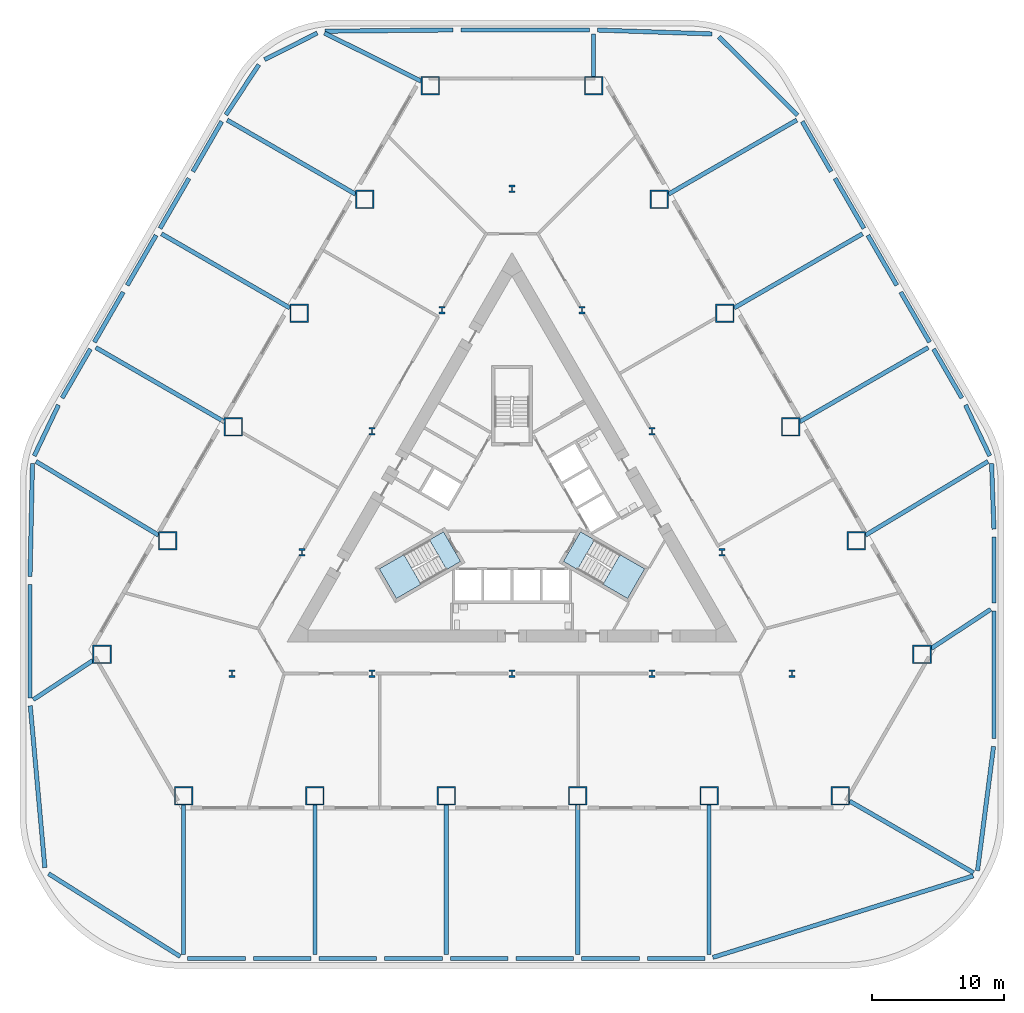
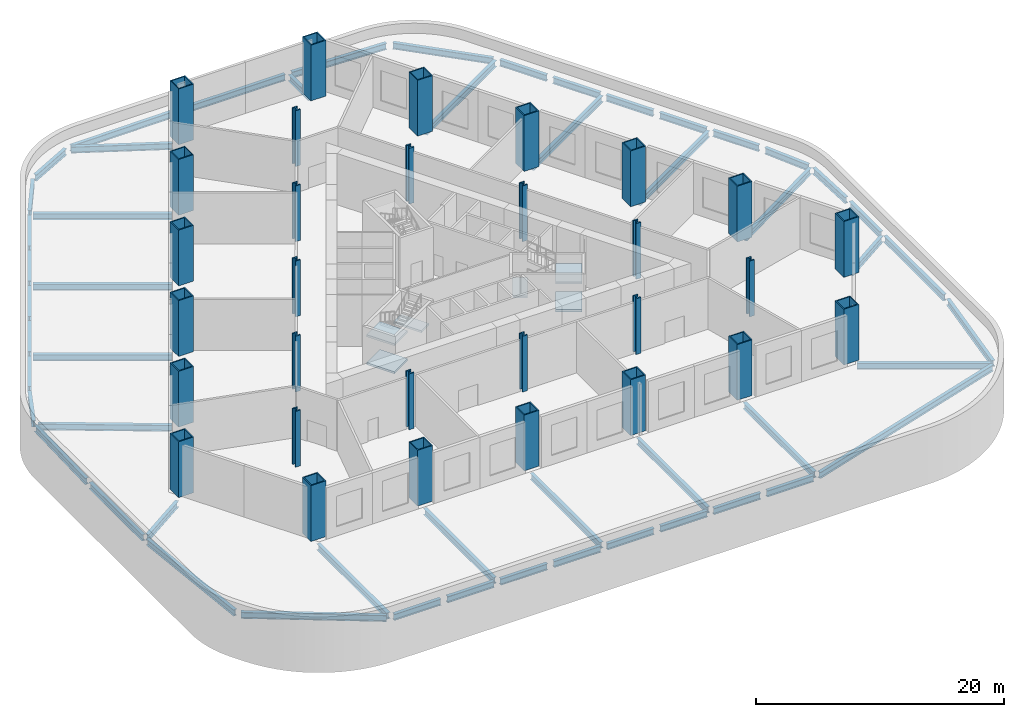
# One storey, part 1 of 10: 53 beams, 30 columns, 6 slabs, 2 elements without a shape of their own.
"""IFC4 building model written with IfcOpenShell, lengths in metres."""

from ifc_helpers import new_model, si_unit, direction, frame, origin, origin_2d, place, context, subcontext, project, spatial, polyline, hollow_rectangle, i_section, outline, extrude, material, layer, layer_set, material_profile, profile_set, type_object, element, aggregate, save


model = new_model("IFC4")

# Units and contexts
model_context = context("Model", 3, precision=1e-05, world=origin(), true_north=direction((0.0, 1.0)))
body_context = subcontext(model_context, "Body", "Model", "MODEL_VIEW")
ifc_project = project(units=[si_unit("LENGTHUNIT", "METRE"), si_unit("AREAUNIT", "SQUARE_METRE"), si_unit("VOLUMEUNIT", "CUBIC_METRE"), si_unit("PLANEANGLEUNIT", "RADIAN"), si_unit("MASSUNIT", "GRAM", prefix="KILO")], contexts=[model_context])

# Site, building, storey
site_placement = place(None, origin())
site = spatial("IfcSite", under=ifc_project, at=site_placement, CompositionType="ELEMENT")
building_placement = place(site_placement, origin())
building = spatial("IfcBuilding", under=site, at=building_placement, Name="Cormorant Prow Tower", CompositionType="ELEMENT")
storey_placement = place(building_placement, frame((0.0, 0.0, 10.0)))
storey = spatial("IfcBuildingStorey", under=building, at=storey_placement, Name="L01", CompositionType="ELEMENT", Elevation=10.0)

# Columns
ifc_material_1 = material(Name="Structural steel ASTM A572 Gr 50", Category="steel")
ifc_material_profile_1 = material_profile(ifc_material_1, hollow_rectangle(XDim=1.39990234375, YDim=1.39990234375, WallThickness=0.10009765625, at=origin_2d()), Name="Box 1400x1400x100")
ifc_profile_set_1 = profile_set([ifc_material_profile_1], Name="Structural steel ASTM A572 Gr 50")
column_type_1 = type_object("IfcColumnType", Name="Perimeter box column 1400x1400x100", PredefinedType="COLUMN", material=ifc_profile_set_1)
for number, where, z_axis, x_axis, name in (
    (1, (-24.830322265625, -21.4599609375, 0.0), (0.0, 0.0, 1.0), (1.0, 0.0, 0.0), "Perimeter column at S00 L01"),
    (2, (-14.898193359375, -21.4599609375, 0.0), (0.0, 0.0, 1.0), (1.0, 0.0, 0.0), "Perimeter column at S02 L01"),
    (3, (-4.966064453125, -21.4599609375, 0.0), (0.0, 0.0, 1.0), (1.0, 0.0, 0.0), "Perimeter column at S04 L01"),
    (4, (4.966064453125, -21.4599609375, 0.0), (0.0, 0.0, 1.0), (1.0, 0.0, 0.0), "Perimeter column at S06 L01"),
    (5, (14.898193359375, -21.4599609375, 0.0), (0.0, 0.0, 1.0), (1.0, 0.0, 0.0), "Perimeter column at S08 L01"),
    (6, (24.830322265625, -21.4599609375, 0.0), (0.0, 0.0, 1.0), (1.0, 0.0, 0.0), "Perimeter column at ESE00 L01"),
    (7, (31.0, -10.773681640625, 0.0), (0.0, 0.0, 1.0), (1.0, 0.0, 0.0), "Perimeter column at ENE00 L01"),
    (8, (26.033935546875, -2.17236328125, 0.0), (0.0, 0.0, 1.0), (1.0, 0.0, 0.0), "Perimeter column at ENE02 L01"),
    (9, (21.06787109375, 6.42919921875, 0.0), (0.0, 0.0, 1.0), (1.0, 0.0, 0.0), "Perimeter column at ENE04 L01"),
    (10, (16.101806640625, 15.03076171875, 0.0), (0.0, 0.0, 1.0), (1.0, 0.0, 0.0), "Perimeter column at ENE06 L01"),
    (11, (11.1357421875, 23.632080078125, 0.0), (0.0, 0.0, 1.0), (1.0, 0.0, 0.0), "Perimeter column at ENE08 L01"),
    (12, (6.169677734375, 32.233642578125, 0.0), (0.0, 0.0, 1.0), (1.0, 0.0, 0.0), "Perimeter column at N00 L01"),
    (13, (-6.169677734375, 32.233642578125, 0.0), (0.0, 0.0, 1.0), (1.0, 0.0, 0.0), "Perimeter column at WNW00 L01"),
    (14, (-11.1357421875, 23.632080078125, 0.0), (0.0, 0.0, 1.0), (1.0, 0.0, 0.0), "Perimeter column at WNW02 L01"),
    (15, (-16.101806640625, 15.03076171875, 0.0), (0.0, 0.0, 1.0), (1.0, 0.0, 0.0), "Perimeter column at WNW04 L01"),
    (16, (-21.06787109375, 6.42919921875, 0.0), (0.0, 0.0, 1.0), (1.0, 0.0, 0.0), "Perimeter column at WNW06 L01"),
    (17, (-26.033935546875, -2.17236328125, 0.0), (0.0, 0.0, 1.0), (1.0, 0.0, 0.0), "Perimeter column at WNW08 L01"),
    (18, (-31.0, -10.773681640625, 0.0), (0.0, 0.0, 1.0), (1.0, 0.0, 0.0), "Perimeter column at WSW00 L01"),
):
    element("IfcColumn", number, at=place(storey_placement, frame(where, z_axis=z_axis, x_axis=x_axis)), inside=storey, type_object=column_type_1, Name=name, PredefinedType="COLUMN", context=body_context, shape_type="SweptSolid", body=[
        extrude(hollow_rectangle(XDim=1.39990234375, YDim=1.39990234375, WallThickness=0.10009765625, at=origin_2d()), origin(), (0.0, 0.0, 1.0), 5.5),
    ])
ifc_material_2 = material(Name="Structural steel ASTM A992 Gr 50", Category="steel")
ifc_material_profile_2 = material_profile(ifc_material_2, i_section(OverallWidth=0.454345703125, OverallDepth=0.569580078125, WebThickness=0.077880859375, FlangeThickness=0.124755859375, at=origin_2d()), Name="W14x730")
ifc_profile_set_2 = profile_set([ifc_material_profile_2], Name="Structural steel ASTM A992 Gr 50")
column_type_2 = type_object("IfcColumnType", Name="Ring column W14x730", PredefinedType="COLUMN", material=ifc_profile_set_2)
for number, where, z_axis, x_axis, name in (
    (19, (0.0, 24.429931640625, 0.0), (0.0, 0.0, 1.0), (1.0, 0.0, 0.0), "Ring column 1 L01"),
    (20, (-5.289306640625, 15.268798828125, 0.0), (0.0, 0.0, 1.0), (1.0, 0.0, 0.0), "Ring column 2 L01"),
    (21, (-10.578369140625, 6.107421875, 0.0), (0.0, 0.0, 1.0), (1.0, 0.0, 0.0), "Ring column 3 L01"),
    (22, (-15.86767578125, -3.0537109375, 0.0), (0.0, 0.0, 1.0), (1.0, 0.0, 0.0), "Ring column 4 L01"),
    (23, (-21.156982421875, -12.21484375, 0.0), (0.0, 0.0, 1.0), (1.0, 0.0, 0.0), "Ring column 5 L01"),
    (24, (-10.578369140625, -12.21484375, 0.0), (0.0, 0.0, 1.0), (1.0, 0.0, 0.0), "Ring column 6 L01"),
    (25, (0.0, -12.21484375, 0.0), (0.0, 0.0, 1.0), (1.0, 0.0, 0.0), "Ring column 7 L01"),
    (26, (10.578369140625, -12.21484375, 0.0), (0.0, 0.0, 1.0), (1.0, 0.0, 0.0), "Ring column 8 L01"),
    (27, (21.156982421875, -12.21484375, 0.0), (0.0, 0.0, 1.0), (1.0, 0.0, 0.0), "Ring column 9 L01"),
    (28, (15.86767578125, -3.0537109375, 0.0), (0.0, 0.0, 1.0), (1.0, 0.0, 0.0), "Ring column 10 L01"),
    (29, (10.578369140625, 6.107421875, 0.0), (0.0, 0.0, 1.0), (1.0, 0.0, 0.0), "Ring column 11 L01"),
    (30, (5.289306640625, 15.268798828125, 0.0), (0.0, 0.0, 1.0), (1.0, 0.0, 0.0), "Ring column 12 L01"),
):
    element("IfcColumn", number, at=place(storey_placement, frame(where, z_axis=z_axis, x_axis=x_axis)), inside=storey, type_object=column_type_2, Name=name, PredefinedType="COLUMN", context=body_context, shape_type="SweptSolid", body=[
        extrude(i_section(OverallWidth=0.454345703125, OverallDepth=0.569580078125, WebThickness=0.077880859375, FlangeThickness=0.124755859375, at=origin_2d()), origin(), (0.0, 0.0, 1.0), 5.5),
    ])

# Beams
ifc_material_3 = material(Name="Structural steel ASTM A992 Gr 50", Category="steel")
ifc_material_profile_3 = material_profile(ifc_material_3, i_section(OverallWidth=0.32373046875, OverallDepth=0.611083984375, WebThickness=0.0126953125, FlangeThickness=0.01904296875, at=origin_2d()), Name="W24x104")
ifc_profile_set_3 = profile_set([ifc_material_profile_3], Name="Structural steel ASTM A992 Gr 50")
beam_type = type_object("IfcBeamType", Name="Arcade beam W24x104", PredefinedType="BEAM", material=ifc_profile_set_3)
beam_1_placement = place(storey_placement, frame((-31.691650390625, -11.22802734375, -0.70556640625), z_axis=(-0.835826558873, -0.548993591477, 0.0), x_axis=(0.548993591477, -0.835826558873, 0.0)))
element("IfcBeam", 31, at=beam_1_placement, inside=storey, type_object=beam_type, Name="Arcade radial beam 1", PredefinedType="BEAM", context=body_context, shape_type="SweptSolid", body=[
    extrude(i_section(OverallWidth=0.32373046875, OverallDepth=0.611083984375, WebThickness=0.0126953125, FlangeThickness=0.01904296875, at=origin_2d()), origin(), (0.0, 0.0, 1.0), 5.39306640625),
])
beam_2_placement = place(storey_placement, frame((-26.725341796875, -1.756103515625, -0.70556640625), z_axis=(-0.856743197334, 0.515743244088, 0.0), x_axis=(-0.515743244088, -0.856743197334, 0.0)))
element("IfcBeam", 32, at=beam_2_placement, inside=storey, type_object=beam_type, Name="Arcade radial beam 2", PredefinedType="BEAM", context=body_context, shape_type="SweptSolid", body=[
    extrude(i_section(OverallWidth=0.32373046875, OverallDepth=0.611083984375, WebThickness=0.0126953125, FlangeThickness=0.01904296875, at=origin_2d()), origin(), (0.0, 0.0, 1.0), 10.816650390625),
])
for number, where, z_axis, x_axis, name in (
    (33, (-21.75927734375, 6.828369140625, -0.70556640625), (-0.866024171541, 0.500002134302, 0.0), (-0.500002134302, -0.866024171541, 0.0), "Arcade radial beam 3"),
    (34, (-16.793212890625, 15.429931640625, -0.70556640625), (-0.866024171541, 0.500002134302, 0.0), (-0.500002134302, -0.866024171541, 0.0), "Arcade radial beam 4"),
    (35, (-11.8271484375, 24.03125, -0.70556640625), (-0.866024171541, 0.500002134302, 0.0), (-0.500002134302, -0.866024171541, 0.0), "Arcade radial beam 5"),
):
    element("IfcBeam", number, at=place(storey_placement, frame(where, z_axis=z_axis, x_axis=x_axis)), inside=storey, type_object=beam_type, Name=name, PredefinedType="BEAM", context=body_context, shape_type="SweptSolid", body=[
        extrude(i_section(OverallWidth=0.32373046875, OverallDepth=0.611083984375, WebThickness=0.0126953125, FlangeThickness=0.01904296875, at=origin_2d()), origin(), (0.0, 0.0, 1.0), 11.20849609375),
    ])
beam_3_placement = place(storey_placement, frame((-6.860595703125, 32.576904296875, -0.70556640625), z_axis=(-0.895671636262, 0.444715999258, 0.0), x_axis=(-0.444715999258, -0.895671636262, 0.0)))
element("IfcBeam", 36, at=beam_3_placement, inside=storey, type_object=beam_type, Name="Arcade radial beam 6", PredefinedType="BEAM", context=body_context, shape_type="SweptSolid", body=[
    extrude(i_section(OverallWidth=0.32373046875, OverallDepth=0.611083984375, WebThickness=0.0126953125, FlangeThickness=0.01904296875, at=origin_2d()), origin(), (0.0, 0.0, 1.0), 8.177734375),
])
beam_4_placement = place(storey_placement, frame((6.169677734375, 32.923583984375, -0.70556640625), z_axis=(0.0, 1.0, 0.0), x_axis=(-1.0, 0.0, 0.0)))
element("IfcBeam", 37, at=beam_4_placement, inside=storey, type_object=beam_type, Name="Arcade radial beam 7", PredefinedType="BEAM", context=body_context, shape_type="SweptSolid", body=[
    extrude(i_section(OverallWidth=0.32373046875, OverallDepth=0.611083984375, WebThickness=0.0126953125, FlangeThickness=0.01904296875, at=origin_2d()), origin(), (0.0, 0.0, 1.0), 3.226318359375),
])
for number, where, z_axis, x_axis, name in (
    (38, (11.8271484375, 24.03125, -0.70556640625), (0.866024171541, 0.500002134302, 0.0), (-0.500002134302, 0.866024171541, 0.0), "Arcade radial beam 8"),
    (39, (16.793212890625, 15.429931640625, -0.70556640625), (0.866024171541, 0.500002134302, 0.0), (-0.500002134302, 0.866024171541, 0.0), "Arcade radial beam 9"),
    (40, (21.75927734375, 6.828369140625, -0.70556640625), (0.866024171541, 0.500002134302, 0.0), (-0.500002134302, 0.866024171541, 0.0), "Arcade radial beam 10"),
):
    element("IfcBeam", number, at=place(storey_placement, frame(where, z_axis=z_axis, x_axis=x_axis)), inside=storey, type_object=beam_type, Name=name, PredefinedType="BEAM", context=body_context, shape_type="SweptSolid", body=[
        extrude(i_section(OverallWidth=0.32373046875, OverallDepth=0.611083984375, WebThickness=0.0126953125, FlangeThickness=0.01904296875, at=origin_2d()), origin(), (0.0, 0.0, 1.0), 11.20849609375),
    ])
beam_5_placement = place(storey_placement, frame((26.725341796875, -1.756103515625, -0.70556640625), z_axis=(0.856743197334, 0.515743244088, 0.0), x_axis=(-0.515743244088, 0.856743197334, 0.0)))
element("IfcBeam", 41, at=beam_5_placement, inside=storey, type_object=beam_type, Name="Arcade radial beam 11", PredefinedType="BEAM", context=body_context, shape_type="SweptSolid", body=[
    extrude(i_section(OverallWidth=0.32373046875, OverallDepth=0.611083984375, WebThickness=0.0126953125, FlangeThickness=0.01904296875, at=origin_2d()), origin(), (0.0, 0.0, 1.0), 10.816650390625),
])
beam_6_placement = place(storey_placement, frame((31.691650390625, -10.319580078125, -0.70556640625), z_axis=(0.835826558873, 0.548993591477, 0.0), x_axis=(-0.548993591477, 0.835826558873, 0.0)))
element("IfcBeam", 42, at=beam_6_placement, inside=storey, type_object=beam_type, Name="Arcade radial beam 12", PredefinedType="BEAM", context=body_context, shape_type="SweptSolid", body=[
    extrude(i_section(OverallWidth=0.32373046875, OverallDepth=0.611083984375, WebThickness=0.0126953125, FlangeThickness=0.01904296875, at=origin_2d()), origin(), (0.0, 0.0, 1.0), 5.39306640625),
])
beam_7_placement = place(storey_placement, frame((25.521728515625, -21.859130859375, -0.70556640625), z_axis=(0.866032379605, -0.49998791733, 0.0), x_axis=(0.49998791733, 0.866032379605, 0.0)))
element("IfcBeam", 43, at=beam_7_placement, inside=storey, type_object=beam_type, Name="Arcade radial beam 13", PredefinedType="BEAM", context=body_context, shape_type="SweptSolid", body=[
    extrude(i_section(OverallWidth=0.32373046875, OverallDepth=0.611083984375, WebThickness=0.0126953125, FlangeThickness=0.01904296875, at=origin_2d()), origin(), (0.0, 0.0, 1.0), 10.826904296875),
])
for number, where, z_axis, x_axis, name in (
    (44, (14.898193359375, -22.14990234375, -0.70556640625), (0.0, -1.0, 0.0), (1.0, 0.0, 0.0), "Arcade radial beam 14"),
    (45, (4.966064453125, -22.14990234375, -0.70556640625), (0.0, -1.0, 0.0), (1.0, 0.0, 0.0), "Arcade radial beam 15"),
    (46, (-4.966064453125, -22.14990234375, -0.70556640625), (0.0, -1.0, 0.0), (1.0, 0.0, 0.0), "Arcade radial beam 16"),
    (47, (-14.898193359375, -22.14990234375, -0.70556640625), (0.0, -1.0, 0.0), (1.0, 0.0, 0.0), "Arcade radial beam 17"),
    (48, (-24.830322265625, -22.14990234375, -0.70556640625), (0.0, -1.0, 0.0), (1.0, 0.0, 0.0), "Arcade radial beam 18"),
):
    element("IfcBeam", number, at=place(storey_placement, frame(where, z_axis=z_axis, x_axis=x_axis)), inside=storey, type_object=beam_type, Name=name, PredefinedType="BEAM", context=body_context, shape_type="SweptSolid", body=[
        extrude(i_section(OverallWidth=0.32373046875, OverallDepth=0.611083984375, WebThickness=0.0126953125, FlangeThickness=0.01904296875, at=origin_2d()), origin(), (0.0, 0.0, 1.0), 11.316650390625),
    ])
beam_8_placement = place(storey_placement, frame((-36.449951171875, -14.052978515625, -0.70556640625), z_axis=(0.0, 1.0, 0.0), x_axis=(-1.0, 0.0, 0.0)))
element("IfcBeam", 49, at=beam_8_placement, inside=storey, type_object=beam_type, Name="Arcade edge beam 1", PredefinedType="BEAM", context=body_context, shape_type="SweptSolid", body=[
    extrude(i_section(OverallWidth=0.32373046875, OverallDepth=0.611083984375, WebThickness=0.0126953125, FlangeThickness=0.01904296875, at=origin_2d()), origin(), (0.0, 0.0, 1.0), 8.572021484375),
])
beam_9_placement = place(storey_placement, frame((-36.443359375, -4.881103515625, -0.70556640625), z_axis=(0.021818277346, 0.999761953054, 0.0), x_axis=(-0.999761953054, 0.021818277346, 0.0)))
element("IfcBeam", 50, at=beam_9_placement, inside=storey, type_object=beam_type, Name="Arcade edge beam 2", PredefinedType="BEAM", context=body_context, shape_type="SweptSolid", body=[
    extrude(i_section(OverallWidth=0.32373046875, OverallDepth=0.611083984375, WebThickness=0.0126953125, FlangeThickness=0.01904296875, at=origin_2d()), origin(), (0.0, 0.0, 1.0), 8.56005859375),
])
beam_10_placement = place(storey_placement, frame((-36.12109375, 4.247802734375, -0.70556640625), z_axis=(0.429817714098, 0.90291568413, 0.0), x_axis=(-0.90291568413, 0.429817714098, 0.0)))
element("IfcBeam", 51, at=beam_10_placement, inside=storey, type_object=beam_type, Name="Arcade edge beam 3", PredefinedType="BEAM", context=body_context, shape_type="SweptSolid", body=[
    extrude(i_section(OverallWidth=0.32373046875, OverallDepth=0.611083984375, WebThickness=0.0126953125, FlangeThickness=0.01904296875, at=origin_2d()), origin(), (0.0, 0.0, 1.0), 4.253173828125),
])
beam_11_placement = place(storey_placement, frame((-34.013916015625, 8.618896484375, -0.70556640625), z_axis=(0.499865753135, 0.866102897376, 0.0), x_axis=(-0.866102897376, 0.499865753135, 0.0)))
element("IfcBeam", 52, at=beam_11_placement, inside=storey, type_object=beam_type, Name="Arcade edge beam 4", PredefinedType="BEAM", context=body_context, shape_type="SweptSolid", body=[
    extrude(i_section(OverallWidth=0.32373046875, OverallDepth=0.611083984375, WebThickness=0.0126953125, FlangeThickness=0.01904296875, at=origin_2d()), origin(), (0.0, 0.0, 1.0), 4.277099609375),
])
beam_12_placement = place(storey_placement, frame((-31.575927734375, 12.8427734375, -0.70556640625), z_axis=(0.500030664312, 0.866007699012, 0.0), x_axis=(-0.866007699012, 0.500030664312, 0.0)))
element("IfcBeam", 53, at=beam_12_placement, inside=storey, type_object=beam_type, Name="Arcade edge beam 5", PredefinedType="BEAM", context=body_context, shape_type="SweptSolid", body=[
    extrude(i_section(OverallWidth=0.32373046875, OverallDepth=0.611083984375, WebThickness=0.0126953125, FlangeThickness=0.01904296875, at=origin_2d()), origin(), (0.0, 0.0, 1.0), 4.365478515625),
])
for number, where, z_axis, x_axis, name in (
    (54, (-29.093017578125, 17.142822265625, -0.70556640625), (0.499999959354, 0.866025427251, 0.0), (-0.866025427251, 0.499999959354, 0.0), "Arcade edge beam 6"),
    (55, (-26.610107421875, 21.44384765625, -0.70556640625), (0.499999959354, 0.866025427251, 0.0), (-0.866025427251, 0.499999959354, 0.0), "Arcade edge beam 7"),
    (56, (-24.126953125, 25.744873046875, -0.70556640625), (0.49995802067, 0.866049639205, 0.0), (-0.866049639205, 0.49995802067, 0.0), "Arcade edge beam 8"),
):
    element("IfcBeam", number, at=place(storey_placement, frame(where, z_axis=z_axis, x_axis=x_axis)), inside=storey, type_object=beam_type, Name=name, PredefinedType="BEAM", context=body_context, shape_type="SweptSolid", body=[
        extrude(i_section(OverallWidth=0.32373046875, OverallDepth=0.611083984375, WebThickness=0.0126953125, FlangeThickness=0.01904296875, at=origin_2d()), origin(), (0.0, 0.0, 1.0), 4.3662109375),
    ])
beam_13_placement = place(storey_placement, frame((-21.629150390625, 30.03662109375, -0.70556640625), z_axis=(0.549464008537, 0.835517386607, 0.0), x_axis=(-0.835517386607, 0.549464008537, 0.0)))
element("IfcBeam", 57, at=beam_13_placement, inside=storey, type_object=beam_type, Name="Arcade edge beam 9", PredefinedType="BEAM", context=body_context, shape_type="SweptSolid", body=[
    extrude(i_section(OverallWidth=0.32373046875, OverallDepth=0.611083984375, WebThickness=0.0126953125, FlangeThickness=0.01904296875, at=origin_2d()), origin(), (0.0, 0.0, 1.0), 4.528564453125),
])
beam_14_placement = place(storey_placement, frame((-18.7080078125, 34.205810546875, -0.70556640625), z_axis=(0.893231357483, 0.449597310945, 0.0), x_axis=(-0.449597310945, 0.893231357483, 0.0)))
element("IfcBeam", 58, at=beam_14_placement, inside=storey, type_object=beam_type, Name="Arcade edge beam 10", PredefinedType="BEAM", context=body_context, shape_type="SweptSolid", body=[
    extrude(i_section(OverallWidth=0.32373046875, OverallDepth=0.611083984375, WebThickness=0.0126953125, FlangeThickness=0.01904296875, at=origin_2d()), origin(), (0.0, 0.0, 1.0), 4.462646484375),
])
beam_15_placement = place(storey_placement, frame((-14.154052734375, 36.35009765625, -0.70556640625), z_axis=(0.99995017457, 0.009982403422, 0.0), x_axis=(-0.009982403422, 0.99995017457, 0.0)))
element("IfcBeam", 59, at=beam_15_placement, inside=storey, type_object=beam_type, Name="Arcade edge beam 11", PredefinedType="BEAM", context=body_context, shape_type="SweptSolid", body=[
    extrude(i_section(OverallWidth=0.32373046875, OverallDepth=0.611083984375, WebThickness=0.0126953125, FlangeThickness=0.01904296875, at=origin_2d()), origin(), (0.0, 0.0, 1.0), 9.70947265625),
])
beam_16_placement = place(storey_placement, frame((-3.844970703125, 36.449951171875, -0.70556640625), z_axis=(1.0, 0.0, 0.0), x_axis=(0.0, 1.0, 0.0)))
element("IfcBeam", 60, at=beam_16_placement, inside=storey, type_object=beam_type, Name="Arcade edge beam 12", PredefinedType="BEAM", context=body_context, shape_type="SweptSolid", body=[
    extrude(i_section(OverallWidth=0.32373046875, OverallDepth=0.611083984375, WebThickness=0.0126953125, FlangeThickness=0.01904296875, at=origin_2d()), origin(), (0.0, 0.0, 1.0), 9.715087890625),
])
beam_17_placement = place(storey_placement, frame((6.4697265625, 36.439697265625, -0.70556640625), z_axis=(0.999419007627, -0.03408294578, 0.0), x_axis=(0.03408294578, 0.999419007627, 0.0)))
element("IfcBeam", 61, at=beam_17_placement, inside=storey, type_object=beam_type, Name="Arcade edge beam 13", PredefinedType="BEAM", context=body_context, shape_type="SweptSolid", body=[
    extrude(i_section(OverallWidth=0.32373046875, OverallDepth=0.611083984375, WebThickness=0.0126953125, FlangeThickness=0.01904296875, at=origin_2d()), origin(), (0.0, 0.0, 1.0), 8.66748046875),
])
beam_18_placement = place(storey_placement, frame((15.644287109375, 35.922119140625, -0.70556640625), z_axis=(0.707877722753, -0.706334998163, 0.0), x_axis=(0.706334998163, 0.707877722753, 0.0)))
element("IfcBeam", 62, at=beam_18_placement, inside=storey, type_object=beam_type, Name="Arcade edge beam 14", PredefinedType="BEAM", context=body_context, shape_type="SweptSolid", body=[
    extrude(i_section(OverallWidth=0.32373046875, OverallDepth=0.611083984375, WebThickness=0.0126953125, FlangeThickness=0.01904296875, at=origin_2d()), origin(), (0.0, 0.0, 1.0), 8.387451171875),
])
for number, where, z_axis, x_axis, name in (
    (63, (21.944091796875, 29.526123046875, -0.70556640625), (0.49995802067, -0.866049639205, 0.0), (0.866049639205, 0.49995802067, 0.0), "Arcade edge beam 15"),
    (64, (24.427001953125, 25.22509765625, -0.70556640625), (0.499999959354, -0.866025427251, 0.0), (0.866025427251, 0.499999959354, 0.0), "Arcade edge beam 16"),
    (65, (26.909912109375, 20.924072265625, -0.70556640625), (0.499999959354, -0.866025427251, 0.0), (0.866025427251, 0.499999959354, 0.0), "Arcade edge beam 17"),
):
    element("IfcBeam", number, at=place(storey_placement, frame(where, z_axis=z_axis, x_axis=x_axis)), inside=storey, type_object=beam_type, Name=name, PredefinedType="BEAM", context=body_context, shape_type="SweptSolid", body=[
        extrude(i_section(OverallWidth=0.32373046875, OverallDepth=0.611083984375, WebThickness=0.0126953125, FlangeThickness=0.01904296875, at=origin_2d()), origin(), (0.0, 0.0, 1.0), 4.3662109375),
    ])
beam_19_placement = place(storey_placement, frame((29.39306640625, 16.623291015625, -0.70556640625), z_axis=(0.500030664312, -0.866007699012, 0.0), x_axis=(0.866007699012, 0.500030664312, 0.0)))
element("IfcBeam", 66, at=beam_19_placement, inside=storey, type_object=beam_type, Name="Arcade edge beam 18", PredefinedType="BEAM", context=body_context, shape_type="SweptSolid", body=[
    extrude(i_section(OverallWidth=0.32373046875, OverallDepth=0.611083984375, WebThickness=0.0126953125, FlangeThickness=0.01904296875, at=origin_2d()), origin(), (0.0, 0.0, 1.0), 4.365478515625),
])
beam_20_placement = place(storey_placement, frame((31.8759765625, 12.3232421875, -0.70556640625), z_axis=(0.499865753135, -0.866102897376, 0.0), x_axis=(0.866102897376, 0.499865753135, 0.0)))
element("IfcBeam", 67, at=beam_20_placement, inside=storey, type_object=beam_type, Name="Arcade edge beam 19", PredefinedType="BEAM", context=body_context, shape_type="SweptSolid", body=[
    extrude(i_section(OverallWidth=0.32373046875, OverallDepth=0.611083984375, WebThickness=0.0126953125, FlangeThickness=0.01904296875, at=origin_2d()), origin(), (0.0, 0.0, 1.0), 4.277099609375),
])
beam_21_placement = place(storey_placement, frame((34.29296875, 8.088134765625, -0.70556640625), z_axis=(0.429817714098, -0.90291568413, 0.0), x_axis=(0.90291568413, 0.429817714098, 0.0)))
element("IfcBeam", 68, at=beam_21_placement, inside=storey, type_object=beam_type, Name="Arcade edge beam 20", PredefinedType="BEAM", context=body_context, shape_type="SweptSolid", body=[
    extrude(i_section(OverallWidth=0.32373046875, OverallDepth=0.611083984375, WebThickness=0.0126953125, FlangeThickness=0.01904296875, at=origin_2d()), origin(), (0.0, 0.0, 1.0), 4.253173828125),
])
beam_22_placement = place(storey_placement, frame((36.2607421875, 3.67724609375, -0.70556640625), z_axis=(0.035824380724, -0.999358100856, 0.0), x_axis=(0.999358100856, 0.035824380724, 0.0)))
element("IfcBeam", 69, at=beam_22_placement, inside=storey, type_object=beam_type, Name="Arcade edge beam 21", PredefinedType="BEAM", context=body_context, shape_type="SweptSolid", body=[
    extrude(i_section(OverallWidth=0.32373046875, OverallDepth=0.611083984375, WebThickness=0.0126953125, FlangeThickness=0.01904296875, at=origin_2d()), origin(), (0.0, 0.0, 1.0), 4.981689453125),
])
beam_23_placement = place(storey_placement, frame((36.449951171875, -1.90087890625, -0.70556640625), z_axis=(0.0, -1.0, 0.0), x_axis=(1.0, 0.0, 0.0)))
element("IfcBeam", 70, at=beam_23_placement, inside=storey, type_object=beam_type, Name="Arcade edge beam 22", PredefinedType="BEAM", context=body_context, shape_type="SweptSolid", body=[
    extrude(i_section(OverallWidth=0.32373046875, OverallDepth=0.611083984375, WebThickness=0.0126953125, FlangeThickness=0.01904296875, at=origin_2d()), origin(), (0.0, 0.0, 1.0), 4.9931640625),
])
beam_24_placement = place(storey_placement, frame((36.449951171875, -7.493896484375, -0.70556640625), z_axis=(0.0, -1.0, 0.0), x_axis=(1.0, 0.0, 0.0)))
element("IfcBeam", 71, at=beam_24_placement, inside=storey, type_object=beam_type, Name="Arcade edge beam 23", PredefinedType="BEAM", context=body_context, shape_type="SweptSolid", body=[
    extrude(i_section(OverallWidth=0.32373046875, OverallDepth=0.611083984375, WebThickness=0.0126953125, FlangeThickness=0.01904296875, at=origin_2d()), origin(), (0.0, 0.0, 1.0), 9.635986328125),
])
beam_25_placement = place(storey_placement, frame((36.41162109375, -17.7275390625, -0.70556640625), z_axis=(-0.12822556794, -0.991745029595, 0.0), x_axis=(0.991745029595, -0.12822556794, 0.0)))
element("IfcBeam", 72, at=beam_25_placement, inside=storey, type_object=beam_type, Name="Arcade edge beam 24", PredefinedType="BEAM", context=body_context, shape_type="SweptSolid", body=[
    extrude(i_section(OverallWidth=0.32373046875, OverallDepth=0.611083984375, WebThickness=0.0126953125, FlangeThickness=0.01904296875, at=origin_2d()), origin(), (0.0, 0.0, 1.0), 9.47607421875),
])
beam_26_placement = place(storey_placement, frame((34.871826171875, -27.5126953125, -0.70556640625), z_axis=(-0.954311367185, -0.298814013162, 0.0), x_axis=(0.298814013162, -0.954311367185, 0.0)))
element("IfcBeam", 73, at=beam_26_placement, inside=storey, type_object=beam_type, Name="Arcade edge beam 25", PredefinedType="BEAM", context=body_context, shape_type="SweptSolid", body=[
    extrude(i_section(OverallWidth=0.32373046875, OverallDepth=0.611083984375, WebThickness=0.0126953125, FlangeThickness=0.01904296875, at=origin_2d()), origin(), (0.0, 0.0, 1.0), 20.630126953125),
])
for number, where, z_axis, x_axis, name in (
    (74, (14.597900390625, -33.76708984375, -0.70556640625), (-1.0, 0.0, 0.0), (0.0, -1.0, 0.0), "Arcade edge beam 26"),
    (75, (9.632080078125, -33.76708984375, -0.70556640625), (-1.0, 0.0, 0.0), (0.0, -1.0, 0.0), "Arcade edge beam 27"),
    (76, (4.666015625, -33.76708984375, -0.70556640625), (-1.0, 0.0, 0.0), (0.0, -1.0, 0.0), "Arcade edge beam 28"),
    (77, (-0.300048828125, -33.76708984375, -0.70556640625), (-1.0, 0.0, 0.0), (0.0, -1.0, 0.0), "Arcade edge beam 29"),
    (78, (-5.26611328125, -33.76708984375, -0.70556640625), (-1.0, 0.0, 0.0), (0.0, -1.0, 0.0), "Arcade edge beam 30"),
    (79, (-10.23193359375, -33.76708984375, -0.70556640625), (-1.0, 0.0, 0.0), (0.0, -1.0, 0.0), "Arcade edge beam 31"),
    (80, (-15.197998046875, -33.76708984375, -0.70556640625), (-1.0, 0.0, 0.0), (0.0, -1.0, 0.0), "Arcade edge beam 32"),
    (81, (-20.1640625, -33.76708984375, -0.70556640625), (-1.0, 0.0, 0.0), (0.0, -1.0, 0.0), "Arcade edge beam 33"),
):
    element("IfcBeam", number, at=place(storey_placement, frame(where, z_axis=z_axis, x_axis=x_axis)), inside=storey, type_object=beam_type, Name=name, PredefinedType="BEAM", context=body_context, shape_type="SweptSolid", body=[
        extrude(i_section(OverallWidth=0.32373046875, OverallDepth=0.611083984375, WebThickness=0.0126953125, FlangeThickness=0.01904296875, at=origin_2d()), origin(), (0.0, 0.0, 1.0), 4.365966796875),
    ])
beam_27_placement = place(storey_placement, frame((-25.083984375, -33.607421875, -0.70556640625), z_axis=(-0.846586299022, 0.532251480325, 0.0), x_axis=(-0.532251480325, -0.846586299022, 0.0)))
element("IfcBeam", 82, at=beam_27_placement, inside=storey, type_object=beam_type, Name="Arcade edge beam 34", PredefinedType="BEAM", context=body_context, shape_type="SweptSolid", body=[
    extrude(i_section(OverallWidth=0.32373046875, OverallDepth=0.611083984375, WebThickness=0.0126953125, FlangeThickness=0.01904296875, at=origin_2d()), origin(), (0.0, 0.0, 1.0), 11.759033203125),
])
beam_28_placement = place(storey_placement, frame((-35.31982421875, -26.89013671875, -0.70556640625), z_axis=(-0.089785119736, 0.995961160023, 0.0), x_axis=(-0.995961160023, -0.089785119736, 0.0)))
element("IfcBeam", 83, at=beam_28_placement, inside=storey, type_object=beam_type, Name="Arcade edge beam 35", PredefinedType="BEAM", context=body_context, shape_type="SweptSolid", body=[
    extrude(i_section(OverallWidth=0.32373046875, OverallDepth=0.611083984375, WebThickness=0.0126953125, FlangeThickness=0.01904296875, at=origin_2d()), origin(), (0.0, 0.0, 1.0), 12.287841796875),
])

# Stair, slabs
ifc_material_4 = material(Name="Exit stair 36 risers")
stair_type = type_object("IfcStairType", Name="Exit stair 36 risers", PredefinedType="HALF_TURN_STAIR", material=ifc_material_4)
stair_1_placement = place(storey_placement, origin())
stair_1 = element("IfcStair", 84, at=stair_1_placement, inside=storey, type_object=stair_type, Name="L01 Exit stair ST1", PredefinedType="HALF_TURN_STAIR")
ifc_material_5 = material(Name="Concrete 5000 psi", Category="concrete")
ifc_layer = layer(ifc_material_5, 0.199951171875)
ifc_layer_set = layer_set([ifc_layer], Name="Concrete 5000 psi")
slab_type = type_object("IfcSlabType", Name="Stair landing 200", PredefinedType="LANDING", material=ifc_layer_set)
slab_1_placement = place(storey_placement, frame((0.0, 0.0, 1.175048828125)))
slab_1 = element("IfcSlab", 85, at=slab_1_placement, type_object=slab_type, Name="ST1 landing 1", PredefinedType="LANDING", context=body_context, shape_type="SweptSolid", body=[
    extrude(outline(polyline([(-8.17431640625, -3.225341796875), (-10.031982421875, -4.2978515625), (-8.738037109375, -6.5390625), (-6.88037109375, -5.466552734375), (-8.17431640625, -3.225341796875)])), origin(), (0.0, 0.0, 1.0), 0.199951171875),
])
slab_2_placement = place(storey_placement, frame((0.0, 0.0, 2.550048828125)))
slab_2 = element("IfcSlab", 86, at=slab_2_placement, type_object=slab_type, Name="ST1 landing 2", PredefinedType="LANDING", context=body_context, shape_type="SweptSolid", body=[
    extrude(outline(polyline([(-5.18212890625, -1.497802734375), (-6.241455078125, -2.109375), (-4.947265625, -4.3505859375), (-3.88818359375, -3.739013671875), (-5.18212890625, -1.497802734375)])), origin(), (0.0, 0.0, 1.0), 0.199951171875),
])
slab_3_placement = place(storey_placement, frame((0.0, 0.0, 3.925048828125)))
slab_3 = element("IfcSlab", 87, at=slab_3_placement, type_object=slab_type, Name="ST1 landing 3", PredefinedType="LANDING", context=body_context, shape_type="SweptSolid", body=[
    extrude(outline(polyline([(-8.17431640625, -3.225341796875), (-10.031982421875, -4.2978515625), (-8.738037109375, -6.5390625), (-6.88037109375, -5.466552734375), (-8.17431640625, -3.225341796875)])), origin(), (0.0, 0.0, 1.0), 0.199951171875),
])
aggregate(stair_1, [slab_1, slab_2, slab_3])

stair_2_placement = place(storey_placement, origin())
stair_2 = element("IfcStair", 88, at=stair_2_placement, inside=storey, type_object=stair_type, Name="L01 Exit stair ST2", PredefinedType="HALF_TURN_STAIR")
slab_4_placement = place(storey_placement, frame((0.0, 0.0, 1.175048828125)))
slab_4 = element("IfcSlab", 89, at=slab_4_placement, type_object=slab_type, Name="ST2 landing 1", PredefinedType="LANDING", context=body_context, shape_type="SweptSolid", body=[
    extrude(outline(polyline([(6.88037109375, -5.466552734375), (8.738037109375, -6.5390625), (10.031982421875, -4.2978515625), (8.17431640625, -3.225341796875), (6.88037109375, -5.466552734375)])), origin(), (0.0, 0.0, 1.0), 0.199951171875),
])
slab_5_placement = place(storey_placement, frame((0.0, 0.0, 2.550048828125)))
slab_5 = element("IfcSlab", 90, at=slab_5_placement, type_object=slab_type, Name="ST2 landing 2", PredefinedType="LANDING", context=body_context, shape_type="SweptSolid", body=[
    extrude(outline(polyline([(3.88818359375, -3.739013671875), (4.947265625, -4.3505859375), (6.241455078125, -2.109375), (5.18212890625, -1.497802734375), (3.88818359375, -3.739013671875)])), origin(), (0.0, 0.0, 1.0), 0.199951171875),
])
slab_6_placement = place(storey_placement, frame((0.0, 0.0, 3.925048828125)))
slab_6 = element("IfcSlab", 91, at=slab_6_placement, type_object=slab_type, Name="ST2 landing 3", PredefinedType="LANDING", context=body_context, shape_type="SweptSolid", body=[
    extrude(outline(polyline([(6.88037109375, -5.466552734375), (8.738037109375, -6.5390625), (10.031982421875, -4.2978515625), (8.17431640625, -3.225341796875), (6.88037109375, -5.466552734375)])), origin(), (0.0, 0.0, 1.0), 0.199951171875),
])
aggregate(stair_2, [slab_4, slab_5, slab_6])

save(model, "model.ifc")
